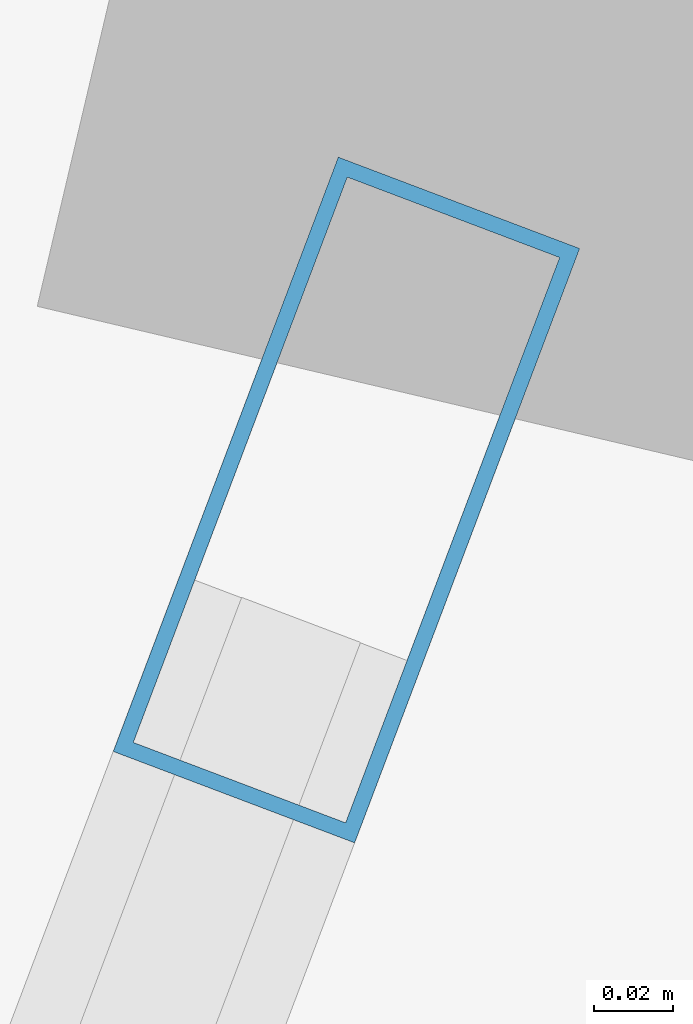
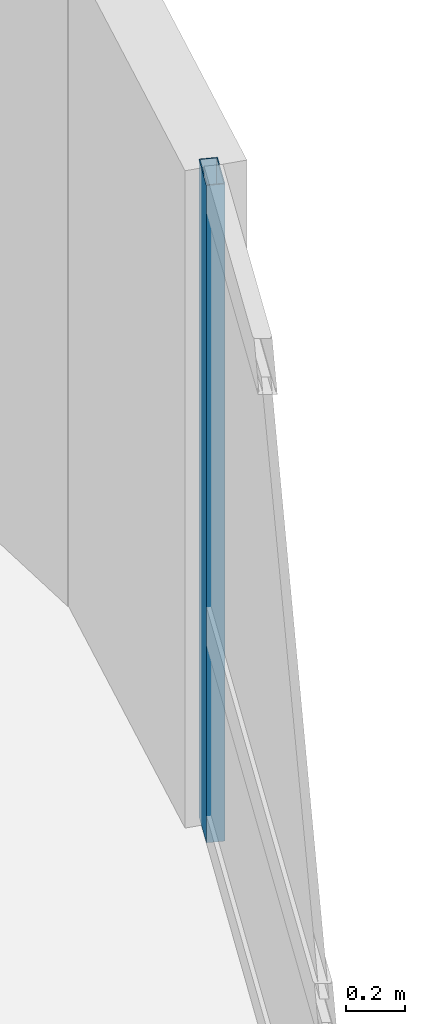
# One storey, part 15 of 24: 1 member, 1 element without a shape of its own.
"""IFC4 building model written with IfcOpenShell, lengths in metres."""

from ifc_helpers import new_model, si_unit, direction, frame, origin, origin_2d, place, context, subcontext, project, spatial, hollow_rectangle, extrude, material, layer, layer_set, material_profile, profile_set, type_object, element, aggregate, save


model = new_model("IFC4")

# Units and contexts
model_context = context("Model", 3, precision=1e-05, world=origin(), true_north=direction((0.0, 1.0)))
body_context = subcontext(model_context, "Body", "Model", "MODEL_VIEW")
ifc_project = project(units=[si_unit("LENGTHUNIT", "METRE"), si_unit("AREAUNIT", "SQUARE_METRE"), si_unit("VOLUMEUNIT", "CUBIC_METRE"), si_unit("PLANEANGLEUNIT", "RADIAN"), si_unit("MASSUNIT", "GRAM", prefix="KILO")], contexts=[model_context])

# Site, building, storey
site_placement = place(None, origin())
site = spatial("IfcSite", under=ifc_project, at=site_placement, CompositionType="ELEMENT")
building_placement = place(site_placement, origin())
building = spatial("IfcBuilding", under=site, at=building_placement, Name="Varnelok Gate Tower", CompositionType="ELEMENT")
storey_placement = place(building_placement, frame((0.0, 0.0, 94.699951171875)))
storey = spatial("IfcBuildingStorey", under=building, at=storey_placement, Name="L23", CompositionType="ELEMENT", Elevation=94.699951171875)

# Curtain wall, member
ifc_material = material(Name="Anodized Aluminum Alloy 6063-T6", Category="aluminium")
ifc_layer = layer(ifc_material, 0.179931640625)
ifc_layer_set = layer_set([ifc_layer], Name="Anodized Aluminum Alloy 6063-T6")
curtain_wall_type = type_object("IfcCurtainWallType", Name="CW3-HOTEL-VISION", PredefinedType="USERDEFINED", material=ifc_layer_set)
curtain_wall_placement = place(storey_placement, origin())
curtain_wall = element("IfcCurtainWall", 1, at=curtain_wall_placement, inside=storey, type_object=curtain_wall_type, Name="L23 East End Vision Curtain Wall", ObjectType="UNITISED CURTAIN WALL", PredefinedType="USERDEFINED")
ifc_material_profile = material_profile(ifc_material, hollow_rectangle(XDim=0.06494140625, YDim=0.159912109375, WallThickness=0.00390625, at=origin_2d()), Name="ALU160X65X4")
ifc_profile_set = profile_set([ifc_material_profile], Name="Anodized Aluminum Alloy 6063-T6")
member_type = type_object("IfcMemberType", Name="CW-MULL-160", PredefinedType="MULLION", material=ifc_profile_set)
member_placement = place(storey_placement, frame((80.443359375, 29.004638671875, 0.0), z_axis=(0.0, 0.0, 1.0), x_axis=(0.935221323688, -0.354063660545, 0.0)))
member = element("IfcMember", 2, at=member_placement, type_object=member_type, Name="CW3 mullion 1", PredefinedType="MULLION", context=body_context, shape_type="SweptSolid", body=[
    extrude(hollow_rectangle(XDim=0.06494140625, YDim=0.159912109375, WallThickness=0.00390625, at=origin_2d()), origin(), (0.0, 0.0, 1.0), 2.72998046875),
])
aggregate(curtain_wall, [member])

save(model, "model.ifc")
